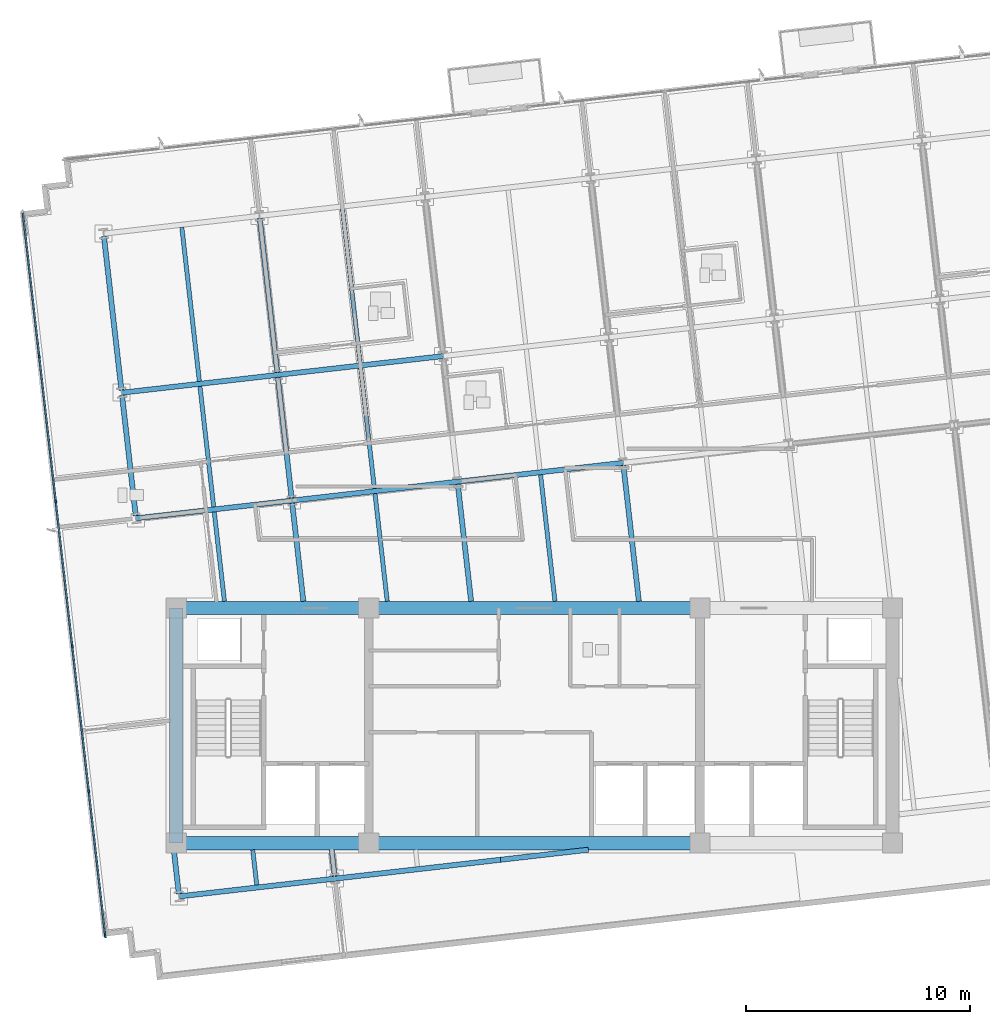
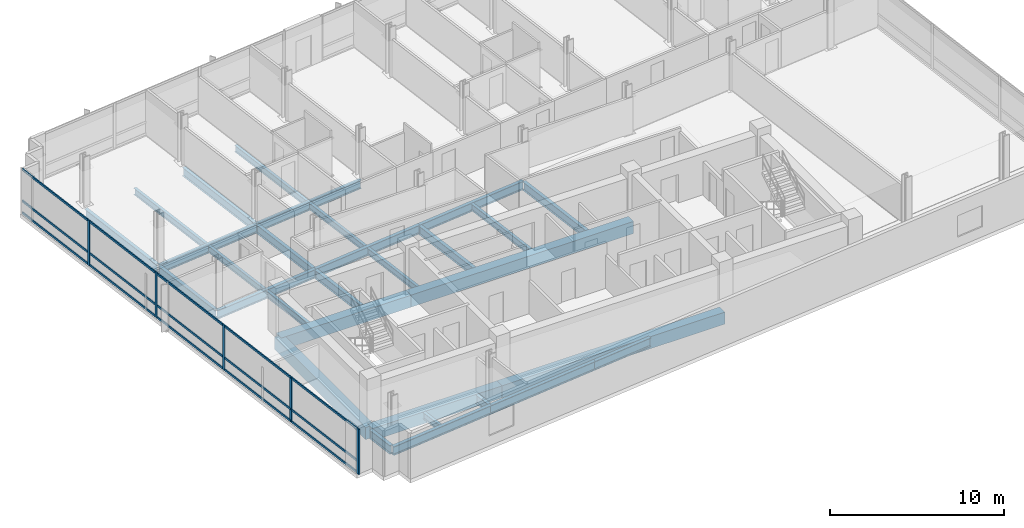
# One storey, part 2 of 16: 30 beams, 20 members, 1 element without a shape of its own.
"""IFC4 building model written with IfcOpenShell, lengths in metres."""

from ifc_helpers import new_model, si_unit, direction, frame, origin, origin_2d, place, context, subcontext, project, spatial, rectangle, i_section, extrude, material, material_profile, profile_set, type_object, element, aggregate, save


model = new_model("IFC4")

# Units and contexts
model_context = context("Model", 3, precision=1e-05, world=origin(), true_north=direction((0.0, 1.0)))
body_context = subcontext(model_context, "Body", "Model", "MODEL_VIEW")
ifc_project = project(units=[si_unit("LENGTHUNIT", "METRE"), si_unit("AREAUNIT", "SQUARE_METRE"), si_unit("VOLUMEUNIT", "CUBIC_METRE"), si_unit("PLANEANGLEUNIT", "RADIAN"), si_unit("MASSUNIT", "GRAM", prefix="KILO")], contexts=[model_context])

# Site, building, storey
site_placement = place(None, origin())
site = spatial("IfcSite", under=ifc_project, at=site_placement, CompositionType="ELEMENT")
building_placement = place(site_placement, origin())
building = spatial("IfcBuilding", under=site, at=building_placement, Name="Solmavex Isthmus Hotel", CompositionType="ELEMENT")
storey_placement = place(building_placement, frame((0.0, 0.0, 208.949951171875)))
storey = spatial("IfcBuildingStorey", under=building, at=storey_placement, Name="L56", CompositionType="ELEMENT", Elevation=208.949951171875)

# Beams
ifc_material_1 = material(Name="Steel ASTM A992 Grade 50", Category="steel")
ifc_material_profile_1 = material_profile(ifc_material_1, i_section(OverallWidth=0.1904296875, OverallDepth=0.456787109375, WebThickness=0.009033203125, FlangeThickness=0.014404296875, FilletRadius=0.0126953125, at=origin_2d()), Name="W18X50")
ifc_profile_set_1 = profile_set([ifc_material_profile_1], Name="Steel ASTM A992 Grade 50")
beam_type_1 = type_object("IfcBeamType", Name="BM-BJ-W18X50", PredefinedType="JOIST", material=ifc_profile_set_1)
beam_1_placement = place(storey_placement, frame((-12.404052734375, -14.872314453125, -0.48828125), z_axis=(-0.113242002738, 0.993567435465, 0.0), x_axis=(-0.993567435465, -0.113242002738, 0.0)))
element("IfcBeam", 1, at=beam_1_placement, inside=storey, type_object=beam_type_1, Name="Secondary Floor Joist L56-J01", PredefinedType="JOIST", context=body_context, shape_type="SweptSolid", body=[
    extrude(i_section(OverallWidth=0.1904296875, OverallDepth=0.456787109375, WebThickness=0.009033203125, FlangeThickness=0.014404296875, FilletRadius=0.0126953125, at=origin_2d()), origin(), (0.0, 0.0, 1.0), 1.58251953125),
])
beam_2_placement = place(storey_placement, frame((-13.847900390625, -2.199951171875, -0.48828125), z_axis=(-0.113179724577, 0.993574531651, 0.0), x_axis=(-0.993574531651, -0.113179724577, 0.0)))
element("IfcBeam", 2, at=beam_2_placement, inside=storey, type_object=beam_type_1, Name="Secondary Floor Joist L56-J02", PredefinedType="JOIST", context=body_context, shape_type="SweptSolid", body=[
    extrude(i_section(OverallWidth=0.1904296875, OverallDepth=0.456787109375, WebThickness=0.009033203125, FlangeThickness=0.014404296875, FilletRadius=0.0126953125, at=origin_2d()), origin(), (0.0, 0.0, 1.0), 4.0166015625),
])
beam_3_placement = place(storey_placement, frame((-14.328369140625, 2.01708984375, -0.48828125), z_axis=(-0.113189626161, 0.993573403695, 0.0), x_axis=(-0.993573403695, -0.113189626161, 0.0)))
element("IfcBeam", 3, at=beam_3_placement, inside=storey, type_object=beam_type_1, Name="Secondary Floor Joist L56-J03", PredefinedType="JOIST", context=body_context, shape_type="SweptSolid", body=[
    extrude(i_section(OverallWidth=0.1904296875, OverallDepth=0.456787109375, WebThickness=0.009033203125, FlangeThickness=0.014404296875, FilletRadius=0.0126953125, at=origin_2d()), origin(), (0.0, 0.0, 1.0), 5.42041015625),
])
beam_4_placement = place(storey_placement, frame((-14.9677734375, 7.62890625, -0.48828125), z_axis=(-0.113202453846, 0.993571942258, 0.0), x_axis=(-0.993571942258, -0.113202453846, 0.0)))
element("IfcBeam", 4, at=beam_4_placement, inside=storey, type_object=beam_type_1, Name="Secondary Floor Joist L56-J04", PredefinedType="JOIST", context=body_context, shape_type="SweptSolid", body=[
    extrude(i_section(OverallWidth=0.1904296875, OverallDepth=0.456787109375, WebThickness=0.009033203125, FlangeThickness=0.014404296875, FilletRadius=0.0126953125, at=origin_2d()), origin(), (0.0, 0.0, 1.0), 6.9228515625),
])
beam_5_placement = place(storey_placement, frame((-6.57421875, -2.199951171875, -0.48828125), z_axis=(-0.113193768539, 0.993572931779, 0.0), x_axis=(-0.993572931779, -0.113193768539, 0.0)))
element("IfcBeam", 5, at=beam_5_placement, inside=storey, type_object=beam_type_1, Name="Secondary Floor Joist L56-J06", PredefinedType="JOIST", context=body_context, shape_type="SweptSolid", body=[
    extrude(i_section(OverallWidth=0.1904296875, OverallDepth=0.456787109375, WebThickness=0.009033203125, FlangeThickness=0.014404296875, FilletRadius=0.0126953125, at=origin_2d()), origin(), (0.0, 0.0, 1.0), 4.83984375),
])
beam_6_placement = place(storey_placement, frame((-7.14794921875, 2.835205078125, -0.48828125), z_axis=(-0.113189626161, 0.993573403695, 0.0), x_axis=(-0.993573403695, -0.113189626161, 0.0)))
element("IfcBeam", 6, at=beam_6_placement, inside=storey, type_object=beam_type_1, Name="Secondary Floor Joist L56-J07", PredefinedType="JOIST", context=body_context, shape_type="SweptSolid", body=[
    extrude(i_section(OverallWidth=0.1904296875, OverallDepth=0.456787109375, WebThickness=0.009033203125, FlangeThickness=0.014404296875, FilletRadius=0.0126953125, at=origin_2d()), origin(), (0.0, 0.0, 1.0), 5.42041015625),
])
beam_7_placement = place(storey_placement, frame((-7.787109375, 8.447021484375, -0.48828125), z_axis=(-0.113202453846, 0.993571942258, 0.0), x_axis=(-0.993571942258, -0.113202453846, 0.0)))
element("IfcBeam", 7, at=beam_7_placement, inside=storey, type_object=beam_type_1, Name="Secondary Floor Joist L56-J08", PredefinedType="JOIST", context=body_context, shape_type="SweptSolid", body=[
    extrude(i_section(OverallWidth=0.1904296875, OverallDepth=0.456787109375, WebThickness=0.009033203125, FlangeThickness=0.014404296875, FilletRadius=0.0126953125, at=origin_2d()), origin(), (0.0, 0.0, 1.0), 6.9228515625),
])
beam_8_placement = place(storey_placement, frame((0.920166015625, -2.199951171875, -0.48828125), z_axis=(-0.113219765873, 0.993569969663, 0.0), x_axis=(-0.993569969663, -0.113219765873, 0.0)))
element("IfcBeam", 8, at=beam_8_placement, inside=storey, type_object=beam_type_1, Name="Secondary Floor Joist L56-J09", PredefinedType="JOIST", context=body_context, shape_type="SweptSolid", body=[
    extrude(i_section(OverallWidth=0.1904296875, OverallDepth=0.456787109375, WebThickness=0.009033203125, FlangeThickness=0.014404296875, FilletRadius=0.0126953125, at=origin_2d()), origin(), (0.0, 0.0, 1.0), 5.6884765625),
])
ifc_material_profile_2 = material_profile(ifc_material_1, i_section(OverallWidth=0.227783203125, OverallDepth=0.602783203125, WebThickness=0.010498046875, FlangeThickness=0.014892578125, FilletRadius=0.01513671875, at=origin_2d()), Name="W24X68")
ifc_profile_set_2 = profile_set([ifc_material_profile_2], Name="Steel ASTM A992 Grade 50")
beam_type_2 = type_object("IfcBeamType", Name="BM-BM-W24X68", PredefinedType="BEAM", material=ifc_profile_set_2)
beam_9_placement = place(storey_placement, frame((-17.796875, 1.50732421875, -0.561279296875), z_axis=(0.993569675103, 0.113222350774, 0.0), x_axis=(-0.113222350774, 0.993569675103, 0.0)))
element("IfcBeam", 9, at=beam_9_placement, inside=storey, type_object=beam_type_2, Name="Floor Girder L56-UG06", PredefinedType="BEAM", context=body_context, shape_type="SweptSolid", body=[
    extrude(i_section(OverallWidth=0.227783203125, OverallDepth=0.602783203125, WebThickness=0.010498046875, FlangeThickness=0.014892578125, FilletRadius=0.01513671875, at=origin_2d()), origin(), (0.0, 0.0, 1.0), 7.008056640625),
])
beam_10_placement = place(storey_placement, frame((-10.833984375, 2.30078125, -0.561279296875), z_axis=(0.993574034044, 0.113184092846, 0.0), x_axis=(-0.113184092846, 0.993574034044, 0.0)))
element("IfcBeam", 10, at=beam_10_placement, inside=storey, type_object=beam_type_2, Name="Floor Girder L56-UG07", PredefinedType="BEAM", context=body_context, shape_type="SweptSolid", body=[
    extrude(i_section(OverallWidth=0.227783203125, OverallDepth=0.602783203125, WebThickness=0.010498046875, FlangeThickness=0.014892578125, FilletRadius=0.01513671875, at=origin_2d()), origin(), (0.0, 0.0, 1.0), 7.446044921875),
])
beam_11_placement = place(storey_placement, frame((-3.435791015625, 3.1435546875, -0.561279296875), z_axis=(0.993569926006, 0.113220148984, 0.0), x_axis=(-0.113220148984, 0.993569926006, 0.0)))
element("IfcBeam", 11, at=beam_11_placement, inside=storey, type_object=beam_type_2, Name="Floor Girder L56-UG08", PredefinedType="BEAM", context=body_context, shape_type="SweptSolid", body=[
    extrude(i_section(OverallWidth=0.227783203125, OverallDepth=0.602783203125, WebThickness=0.010498046875, FlangeThickness=0.014892578125, FilletRadius=0.01513671875, at=origin_2d()), origin(), (0.0, 0.0, 1.0), 7.44580078125),
])
beam_12_placement = place(storey_placement, frame((-18.436279296875, 7.119140625, -0.561279296875), z_axis=(0.99357359356, 0.113187959519, 0.0), x_axis=(-0.113187959519, 0.99357359356, 0.0)))
element("IfcBeam", 12, at=beam_12_placement, inside=storey, type_object=beam_type_2, Name="Floor Girder L56-UG12", PredefinedType="BEAM", context=body_context, shape_type="SweptSolid", body=[
    extrude(i_section(OverallWidth=0.227783203125, OverallDepth=0.602783203125, WebThickness=0.010498046875, FlangeThickness=0.014892578125, FilletRadius=0.01513671875, at=origin_2d()), origin(), (0.0, 0.0, 1.0), 7.0078125),
])
beam_13_placement = place(storey_placement, frame((-11.473388671875, 7.912353515625, -0.561279296875), z_axis=(0.9935703463, 0.113216460607, 0.0), x_axis=(-0.113216460607, 0.9935703463, 0.0)))
element("IfcBeam", 13, at=beam_13_placement, inside=storey, type_object=beam_type_2, Name="Floor Girder L56-UG13", PredefinedType="BEAM", context=body_context, shape_type="SweptSolid", body=[
    extrude(i_section(OverallWidth=0.227783203125, OverallDepth=0.602783203125, WebThickness=0.010498046875, FlangeThickness=0.014892578125, FilletRadius=0.01513671875, at=origin_2d()), origin(), (0.0, 0.0, 1.0), 7.446044921875),
])
beam_14_placement = place(storey_placement, frame((-8.922607421875, -14.4755859375, -0.561279296875), z_axis=(-0.113284703976, 0.993562567655, 0.0), x_axis=(-0.993562567655, -0.113284703976, 0.0)))
element("IfcBeam", 14, at=beam_14_placement, inside=storey, type_object=beam_type_2, Name="Floor Beam L56-VG27", PredefinedType="BEAM", context=body_context, shape_type="SweptSolid", body=[
    extrude(i_section(OverallWidth=0.227783203125, OverallDepth=0.602783203125, WebThickness=0.010498046875, FlangeThickness=0.014892578125, FilletRadius=0.01513671875, at=origin_2d()), origin(), (0.0, 0.0, 1.0), 1.18310546875),
])
beam_15_placement = place(storey_placement, frame((-10.3212890625, -2.199951171875, -0.561279296875), z_axis=(-0.113173914695, 0.993575193447, 0.0), x_axis=(-0.993575193447, -0.113173914695, 0.0)))
element("IfcBeam", 15, at=beam_15_placement, inside=storey, type_object=beam_type_2, Name="Floor Beam L56-VG28", PredefinedType="BEAM", context=body_context, shape_type="SweptSolid", body=[
    extrude(i_section(OverallWidth=0.227783203125, OverallDepth=0.602783203125, WebThickness=0.010498046875, FlangeThickness=0.014892578125, FilletRadius=0.01513671875, at=origin_2d()), origin(), (0.0, 0.0, 1.0), 4.415771484375),
])
beam_16_placement = place(storey_placement, frame((-10.846923828125, 2.413818359375, -0.561279296875), z_axis=(-0.113189626161, 0.993573403695, 0.0), x_axis=(-0.993573403695, -0.113189626161, 0.0)))
element("IfcBeam", 16, at=beam_16_placement, inside=storey, type_object=beam_type_2, Name="Floor Beam L56-VG29", PredefinedType="BEAM", context=body_context, shape_type="SweptSolid", body=[
    extrude(i_section(OverallWidth=0.227783203125, OverallDepth=0.602783203125, WebThickness=0.010498046875, FlangeThickness=0.014892578125, FilletRadius=0.01513671875, at=origin_2d()), origin(), (0.0, 0.0, 1.0), 5.42041015625),
])
beam_17_placement = place(storey_placement, frame((-11.486328125, 8.025634765625, -0.561279296875), z_axis=(-0.113202453846, 0.993571942258, 0.0), x_axis=(-0.993571942258, -0.113202453846, 0.0)))
element("IfcBeam", 17, at=beam_17_placement, inside=storey, type_object=beam_type_2, Name="Floor Beam L56-VG30", PredefinedType="BEAM", context=body_context, shape_type="SweptSolid", body=[
    extrude(i_section(OverallWidth=0.227783203125, OverallDepth=0.602783203125, WebThickness=0.010498046875, FlangeThickness=0.014892578125, FilletRadius=0.01513671875, at=origin_2d()), origin(), (0.0, 0.0, 1.0), 6.9228515625),
])
beam_18_placement = place(storey_placement, frame((-2.8271484375, -2.199951171875, -0.561279296875), z_axis=(-0.113159423971, 0.993576843916, 0.0), x_axis=(-0.993576843916, -0.113159423971, 0.0)))
element("IfcBeam", 18, at=beam_18_placement, inside=storey, type_object=beam_type_2, Name="Floor Beam L56-VG31", PredefinedType="BEAM", context=body_context, shape_type="SweptSolid", body=[
    extrude(i_section(OverallWidth=0.227783203125, OverallDepth=0.602783203125, WebThickness=0.010498046875, FlangeThickness=0.014892578125, FilletRadius=0.01513671875, at=origin_2d()), origin(), (0.0, 0.0, 1.0), 5.26416015625),
])
beam_19_placement = place(storey_placement, frame((4.667236328125, -2.199951171875, -0.561279296875), z_axis=(-0.113232304752, 0.993568540746, 0.0), x_axis=(-0.993568540746, -0.113232304752, 0.0)))
element("IfcBeam", 19, at=beam_19_placement, inside=storey, type_object=beam_type_2, Name="Floor Beam L56-VG34", PredefinedType="BEAM", context=body_context, shape_type="SweptSolid", body=[
    extrude(i_section(OverallWidth=0.227783203125, OverallDepth=0.602783203125, WebThickness=0.010498046875, FlangeThickness=0.014892578125, FilletRadius=0.01513671875, at=origin_2d()), origin(), (0.0, 0.0, 1.0), 6.112548828125),
])
ifc_material_2 = material(Name="Concrete C50/60", Category="concrete")
ifc_material_profile_3 = material_profile(ifc_material_2, rectangle(XDim=0.60009765625, YDim=0.85009765625, at=origin_2d()), Name="RC600X850")
ifc_profile_set_3 = profile_set([ifc_material_profile_3], Name="Concrete C50/60")
beam_type_3 = type_object("IfcBeamType", Name="BM-CB-600X850", PredefinedType="BEAM", material=ifc_profile_set_3)
beam_20_placement = place(storey_placement, frame((-16.0, -13.0, -0.68505859375), z_axis=(1.0, 0.0, 0.0), x_axis=(0.0, 1.0, 0.0)))
element("IfcBeam", 20, at=beam_20_placement, inside=storey, type_object=beam_type_3, Name="Core Coupling Beam L56-CB1", PredefinedType="BEAM", context=body_context, shape_type="SweptSolid", body=[
    extrude(rectangle(XDim=0.60009765625, YDim=0.85009765625, at=origin_2d()), origin(), (0.0, 0.0, 1.0), 8.60009765625),
])
beam_21_placement = place(storey_placement, frame((-7.39990234375, -13.0, -0.68505859375), z_axis=(1.0, 0.0, 0.0), x_axis=(0.0, 1.0, 0.0)))
element("IfcBeam", 21, at=beam_21_placement, inside=storey, type_object=beam_type_3, Name="Core Coupling Beam L56-CB2", PredefinedType="BEAM", context=body_context, shape_type="SweptSolid", body=[
    extrude(rectangle(XDim=0.60009765625, YDim=0.85009765625, at=origin_2d()), origin(), (0.0, 0.0, 1.0), 14.7998046875),
])
beam_22_placement = place(storey_placement, frame((-16.0, -2.5, -0.68505859375), z_axis=(1.0, 0.0, 0.0), x_axis=(0.0, 1.0, 0.0)))
element("IfcBeam", 22, at=beam_22_placement, inside=storey, type_object=beam_type_3, Name="Core Coupling Beam L56-CB4", PredefinedType="BEAM", context=body_context, shape_type="SweptSolid", body=[
    extrude(rectangle(XDim=0.60009765625, YDim=0.85009765625, at=origin_2d()), origin(), (0.0, 0.0, 1.0), 8.60009765625),
])
beam_23_placement = place(storey_placement, frame((-7.39990234375, -2.5, -0.68505859375), z_axis=(1.0, 0.0, 0.0), x_axis=(0.0, 1.0, 0.0)))
element("IfcBeam", 23, at=beam_23_placement, inside=storey, type_object=beam_type_3, Name="Core Coupling Beam L56-CB5", PredefinedType="BEAM", context=body_context, shape_type="SweptSolid", body=[
    extrude(rectangle(XDim=0.60009765625, YDim=0.85009765625, at=origin_2d()), origin(), (0.0, 0.0, 1.0), 14.7998046875),
])
beam_24_placement = place(storey_placement, frame((-16.0, -13.0, -0.68505859375), z_axis=(0.0, 1.0, 0.0), x_axis=(-1.0, 0.0, 0.0)))
element("IfcBeam", 24, at=beam_24_placement, inside=storey, type_object=beam_type_3, Name="Core Coupling Beam L56-CB7", PredefinedType="BEAM", context=body_context, shape_type="SweptSolid", body=[
    extrude(rectangle(XDim=0.60009765625, YDim=0.85009765625, at=origin_2d()), origin(), (0.0, 0.0, 1.0), 10.5),
])
ifc_material_profile_4 = material_profile(ifc_material_1, i_section(OverallWidth=0.230224609375, OverallDepth=0.617431640625, WebThickness=0.01318359375, FlangeThickness=0.022216796875, FilletRadius=0.01513671875, at=origin_2d()), Name="W24X94")
ifc_profile_set_4 = profile_set([ifc_material_profile_4], Name="Steel ASTM A992 Grade 50")
beam_type_4 = type_object("IfcBeamType", Name="BM-SP-W24X94", PredefinedType="SPANDREL", material=ifc_profile_set_4)
beam_25_placement = place(storey_placement, frame((-15.87255859375, -15.38330078125, -0.568603515625), z_axis=(0.993574039862, 0.113184041777, 0.0), x_axis=(-0.113184041777, 0.993574039862, 0.0)))
element("IfcBeam", 25, at=beam_25_placement, inside=storey, type_object=beam_type_4, Name="Floor Girder L56-UG01", PredefinedType="SPANDREL", context=body_context, shape_type="SweptSolid", body=[
    extrude(i_section(OverallWidth=0.230224609375, OverallDepth=0.617431640625, WebThickness=0.01318359375, FlangeThickness=0.022216796875, FilletRadius=0.01513671875, at=origin_2d()), origin(), (0.0, 0.0, 1.0), 7.008056640625),
])
beam_26_placement = place(storey_placement, frame((-8.909423828125, -14.590087890625, -0.568603515625), z_axis=(0.993569926006, 0.113220148984, 0.0), x_axis=(-0.113220148984, 0.993569926006, 0.0)))
element("IfcBeam", 26, at=beam_26_placement, inside=storey, type_object=beam_type_4, Name="Floor Girder L56-UG02", PredefinedType="SPANDREL", context=body_context, shape_type="SweptSolid", body=[
    extrude(i_section(OverallWidth=0.230224609375, OverallDepth=0.617431640625, WebThickness=0.01318359375, FlangeThickness=0.022216796875, FilletRadius=0.01513671875, at=origin_2d()), origin(), (0.0, 0.0, 1.0), 7.44580078125),
])
beam_27_placement = place(storey_placement, frame((-1.511474609375, -13.7470703125, -0.568603515625), z_axis=(0.993575434773, 0.113171796023, 0.0), x_axis=(-0.113171796023, 0.993575434773, 0.0)))
element("IfcBeam", 27, at=beam_27_placement, inside=storey, type_object=beam_type_4, Name="Floor Girder L56-UG03", PredefinedType="SPANDREL", context=body_context, shape_type="SweptSolid", body=[
    extrude(i_section(OverallWidth=0.230224609375, OverallDepth=0.617431640625, WebThickness=0.01318359375, FlangeThickness=0.022216796875, FilletRadius=0.01513671875, at=origin_2d()), origin(), (0.0, 0.0, 1.0), 3.949951171875),
])
beam_28_placement = place(storey_placement, frame((-15.885498046875, -15.268798828125, -0.568603515625), z_axis=(-0.113230368519, 0.993568761408, 0.0), x_axis=(-0.993568761408, -0.113230368519, 0.0)))
element("IfcBeam", 28, at=beam_28_placement, inside=storey, type_object=beam_type_4, Name="Floor Beam L56-VG24", PredefinedType="SPANDREL", context=body_context, shape_type="SweptSolid", body=[
    extrude(i_section(OverallWidth=0.230224609375, OverallDepth=0.617431640625, WebThickness=0.01318359375, FlangeThickness=0.022216796875, FilletRadius=0.01513671875, at=origin_2d()), origin(), (0.0, 0.0, 1.0), 1.9814453125),
])
beam_29_placement = place(storey_placement, frame((-17.809814453125, 1.62060546875, -0.568603515625), z_axis=(-0.113194691868, 0.993572826587, 0.0), x_axis=(-0.993572826587, -0.113194691868, 0.0)))
element("IfcBeam", 29, at=beam_29_placement, inside=storey, type_object=beam_type_4, Name="Floor Beam L56-VG25", PredefinedType="SPANDREL", context=body_context, shape_type="SweptSolid", body=[
    extrude(i_section(OverallWidth=0.230224609375, OverallDepth=0.617431640625, WebThickness=0.01318359375, FlangeThickness=0.022216796875, FilletRadius=0.01513671875, at=origin_2d()), origin(), (0.0, 0.0, 1.0), 5.420166015625),
])
beam_30_placement = place(storey_placement, frame((-18.44921875, 7.232177734375, -0.568603515625), z_axis=(-0.113202453846, 0.993571942258, 0.0), x_axis=(-0.993571942258, -0.113202453846, 0.0)))
element("IfcBeam", 30, at=beam_30_placement, inside=storey, type_object=beam_type_4, Name="Floor Beam L56-VG26", PredefinedType="SPANDREL", context=body_context, shape_type="SweptSolid", body=[
    extrude(i_section(OverallWidth=0.230224609375, OverallDepth=0.617431640625, WebThickness=0.01318359375, FlangeThickness=0.022216796875, FilletRadius=0.01513671875, at=origin_2d()), origin(), (0.0, 0.0, 1.0), 6.9228515625),
])

# Curtain wall, members
ifc_material_3 = material(Name="Aluminium alloy 6063-T6", Category="aluminium")
curtain_wall_type = type_object("IfcCurtainWallType", Name="CW-SYS-04", PredefinedType="NOTDEFINED", material=ifc_material_3)
curtain_wall_placement = place(storey_placement, origin())
curtain_wall = element("IfcCurtainWall", 31, at=curtain_wall_placement, inside=storey, type_object=curtain_wall_type, Name="Stick Curtain Wall CWL-L56-W1", PredefinedType="NOTDEFINED")
ifc_material_profile_5 = material_profile(ifc_material_3, rectangle(XDim=0.074951171875, YDim=0.199951171875, at=origin_2d()), Name="CWM-75X200")
ifc_profile_set_5 = profile_set([ifc_material_profile_5], Name="Aluminium alloy 6063-T6")
member_type_1 = type_object("IfcMemberType", Name="CW-SYS-04-MUL", PredefinedType="MULLION", material=ifc_profile_set_5)
member_1_placement = place(storey_placement, frame((-19.17578125, -17.131103515625, 0.0), z_axis=(0.0, 0.0, 1.0), x_axis=(-0.993571836648, -0.11320338078, 0.0)))
member_1 = element("IfcMember", 32, at=member_1_placement, type_object=member_type_1, Name="CW-04 mullion 1", PredefinedType="MULLION", context=body_context, shape_type="SweptSolid", body=[
    extrude(rectangle(XDim=0.074951171875, YDim=0.199951171875, at=origin_2d()), origin(), (0.0, 0.0, 1.0), 3.18994140625),
])
member_2_placement = place(storey_placement, frame((-19.90966796875, -10.690185546875, 0.0), z_axis=(0.0, 0.0, 1.0), x_axis=(-0.993571836648, -0.11320338078, 0.0)))
member_2 = element("IfcMember", 33, at=member_2_placement, type_object=member_type_1, Name="CW-04 mullion 2", PredefinedType="MULLION", context=body_context, shape_type="SweptSolid", body=[
    extrude(rectangle(XDim=0.074951171875, YDim=0.199951171875, at=origin_2d()), origin(), (0.0, 0.0, 1.0), 3.18994140625),
])
member_3_placement = place(storey_placement, frame((-20.647705078125, -4.212158203125, 0.0), z_axis=(0.0, 0.0, 1.0), x_axis=(-0.993571836648, -0.11320338078, 0.0)))
member_3 = element("IfcMember", 34, at=member_3_placement, type_object=member_type_1, Name="CW-04 mullion 3", PredefinedType="MULLION", context=body_context, shape_type="SweptSolid", body=[
    extrude(rectangle(XDim=0.074951171875, YDim=0.199951171875, at=origin_2d()), origin(), (0.0, 0.0, 1.0), 3.18994140625),
])
member_4_placement = place(storey_placement, frame((-21.385986328125, 2.265869140625, 0.0), z_axis=(0.0, 0.0, 1.0), x_axis=(-0.993571836648, -0.11320338078, 0.0)))
member_4 = element("IfcMember", 35, at=member_4_placement, type_object=member_type_1, Name="CW-04 mullion 4", PredefinedType="MULLION", context=body_context, shape_type="SweptSolid", body=[
    extrude(rectangle(XDim=0.074951171875, YDim=0.199951171875, at=origin_2d()), origin(), (0.0, 0.0, 1.0), 3.18994140625),
])
member_5_placement = place(storey_placement, frame((-22.1240234375, 8.744140625, 0.0), z_axis=(0.0, 0.0, 1.0), x_axis=(-0.993571836648, -0.11320338078, 0.0)))
member_5 = element("IfcMember", 36, at=member_5_placement, type_object=member_type_1, Name="CW-04 mullion 5", PredefinedType="MULLION", context=body_context, shape_type="SweptSolid", body=[
    extrude(rectangle(XDim=0.074951171875, YDim=0.199951171875, at=origin_2d()), origin(), (0.0, 0.0, 1.0), 3.18994140625),
])
ifc_material_profile_6 = material_profile(ifc_material_3, rectangle(XDim=0.074951171875, YDim=0.14990234375, at=origin_2d()), Name="CWT-75X150")
ifc_profile_set_6 = profile_set([ifc_material_profile_6], Name="Aluminium alloy 6063-T6")
member_type_2 = type_object("IfcMemberType", Name="CW-SYS-04-TRN", PredefinedType="USERDEFINED", material=ifc_profile_set_6)
member_6_placement = place(storey_placement, frame((-19.18017578125, -17.09375, 0.074951171875), z_axis=(-0.113203780919, 0.993571791058, 0.0), x_axis=(-0.993571791058, -0.113203780919, 0.0)))
member_6 = element("IfcMember", 37, at=member_6_placement, type_object=member_type_2, Name="CW-04 transom 1.1", ObjectType="TRANSOM", PredefinedType="USERDEFINED", context=body_context, shape_type="SweptSolid", body=[
    extrude(rectangle(XDim=0.074951171875, YDim=0.14990234375, at=origin_2d()), origin(), (0.0, 0.0, 1.0), 6.407470703125),
])
member_7_placement = place(storey_placement, frame((-19.18017578125, -17.09375, 0.900146484375), z_axis=(-0.113203780919, 0.993571791058, 0.0), x_axis=(-0.993571791058, -0.113203780919, 0.0)))
member_7 = element("IfcMember", 38, at=member_7_placement, type_object=member_type_2, Name="CW-04 transom 1.2", ObjectType="TRANSOM", PredefinedType="USERDEFINED", context=body_context, shape_type="SweptSolid", body=[
    extrude(rectangle(XDim=0.074951171875, YDim=0.14990234375, at=origin_2d()), origin(), (0.0, 0.0, 1.0), 6.407470703125),
])
member_8_placement = place(storey_placement, frame((-19.18017578125, -17.09375, 3.114990234375), z_axis=(-0.113203780919, 0.993571791058, 0.0), x_axis=(-0.993571791058, -0.113203780919, 0.0)))
member_8 = element("IfcMember", 39, at=member_8_placement, type_object=member_type_2, Name="CW-04 transom 1.3", ObjectType="TRANSOM", PredefinedType="USERDEFINED", context=body_context, shape_type="SweptSolid", body=[
    extrude(rectangle(XDim=0.074951171875, YDim=0.14990234375, at=origin_2d()), origin(), (0.0, 0.0, 1.0), 6.407470703125),
])
member_9_placement = place(storey_placement, frame((-19.9140625, -10.653076171875, 0.074951171875), z_axis=(-0.113187617296, 0.993573632546, 0.0), x_axis=(-0.993573632546, -0.113187617296, 0.0)))
member_9 = element("IfcMember", 40, at=member_9_placement, type_object=member_type_2, Name="CW-04 transom 2.1", ObjectType="TRANSOM", PredefinedType="USERDEFINED", context=body_context, shape_type="SweptSolid", body=[
    extrude(rectangle(XDim=0.074951171875, YDim=0.14990234375, at=origin_2d()), origin(), (0.0, 0.0, 1.0), 6.445068359375),
])
member_10_placement = place(storey_placement, frame((-19.9140625, -10.653076171875, 0.900146484375), z_axis=(-0.113187617296, 0.993573632546, 0.0), x_axis=(-0.993573632546, -0.113187617296, 0.0)))
member_10 = element("IfcMember", 41, at=member_10_placement, type_object=member_type_2, Name="CW-04 transom 2.2", ObjectType="TRANSOM", PredefinedType="USERDEFINED", context=body_context, shape_type="SweptSolid", body=[
    extrude(rectangle(XDim=0.074951171875, YDim=0.14990234375, at=origin_2d()), origin(), (0.0, 0.0, 1.0), 6.445068359375),
])
member_11_placement = place(storey_placement, frame((-19.9140625, -10.653076171875, 3.114990234375), z_axis=(-0.113187617296, 0.993573632546, 0.0), x_axis=(-0.993573632546, -0.113187617296, 0.0)))
member_11 = element("IfcMember", 42, at=member_11_placement, type_object=member_type_2, Name="CW-04 transom 2.3", ObjectType="TRANSOM", PredefinedType="USERDEFINED", context=body_context, shape_type="SweptSolid", body=[
    extrude(rectangle(XDim=0.074951171875, YDim=0.14990234375, at=origin_2d()), origin(), (0.0, 0.0, 1.0), 6.445068359375),
])
member_12_placement = place(storey_placement, frame((-20.652099609375, -4.1748046875, 0.074951171875), z_axis=(-0.113187617296, 0.993573632546, 0.0), x_axis=(-0.993573632546, -0.113187617296, 0.0)))
member_12 = element("IfcMember", 43, at=member_12_placement, type_object=member_type_2, Name="CW-04 transom 3.1", ObjectType="TRANSOM", PredefinedType="USERDEFINED", context=body_context, shape_type="SweptSolid", body=[
    extrude(rectangle(XDim=0.074951171875, YDim=0.14990234375, at=origin_2d()), origin(), (0.0, 0.0, 1.0), 6.445068359375),
])
member_13_placement = place(storey_placement, frame((-20.652099609375, -4.1748046875, 0.900146484375), z_axis=(-0.113187617296, 0.993573632546, 0.0), x_axis=(-0.993573632546, -0.113187617296, 0.0)))
member_13 = element("IfcMember", 44, at=member_13_placement, type_object=member_type_2, Name="CW-04 transom 3.2", ObjectType="TRANSOM", PredefinedType="USERDEFINED", context=body_context, shape_type="SweptSolid", body=[
    extrude(rectangle(XDim=0.074951171875, YDim=0.14990234375, at=origin_2d()), origin(), (0.0, 0.0, 1.0), 6.445068359375),
])
member_14_placement = place(storey_placement, frame((-20.652099609375, -4.1748046875, 3.114990234375), z_axis=(-0.113187617296, 0.993573632546, 0.0), x_axis=(-0.993573632546, -0.113187617296, 0.0)))
member_14 = element("IfcMember", 45, at=member_14_placement, type_object=member_type_2, Name="CW-04 transom 3.3", ObjectType="TRANSOM", PredefinedType="USERDEFINED", context=body_context, shape_type="SweptSolid", body=[
    extrude(rectangle(XDim=0.074951171875, YDim=0.14990234375, at=origin_2d()), origin(), (0.0, 0.0, 1.0), 6.445068359375),
])
member_15_placement = place(storey_placement, frame((-21.39013671875, 2.30322265625, 0.074951171875), z_axis=(-0.113187617296, 0.993573632546, 0.0), x_axis=(-0.993573632546, -0.113187617296, 0.0)))
member_15 = element("IfcMember", 46, at=member_15_placement, type_object=member_type_2, Name="CW-04 transom 4.1", ObjectType="TRANSOM", PredefinedType="USERDEFINED", context=body_context, shape_type="SweptSolid", body=[
    extrude(rectangle(XDim=0.074951171875, YDim=0.14990234375, at=origin_2d()), origin(), (0.0, 0.0, 1.0), 6.445068359375),
])
member_16_placement = place(storey_placement, frame((-21.39013671875, 2.30322265625, 0.900146484375), z_axis=(-0.113187617296, 0.993573632546, 0.0), x_axis=(-0.993573632546, -0.113187617296, 0.0)))
member_16 = element("IfcMember", 47, at=member_16_placement, type_object=member_type_2, Name="CW-04 transom 4.2", ObjectType="TRANSOM", PredefinedType="USERDEFINED", context=body_context, shape_type="SweptSolid", body=[
    extrude(rectangle(XDim=0.074951171875, YDim=0.14990234375, at=origin_2d()), origin(), (0.0, 0.0, 1.0), 6.445068359375),
])
member_17_placement = place(storey_placement, frame((-21.39013671875, 2.30322265625, 3.114990234375), z_axis=(-0.113187617296, 0.993573632546, 0.0), x_axis=(-0.993573632546, -0.113187617296, 0.0)))
member_17 = element("IfcMember", 48, at=member_17_placement, type_object=member_type_2, Name="CW-04 transom 4.3", ObjectType="TRANSOM", PredefinedType="USERDEFINED", context=body_context, shape_type="SweptSolid", body=[
    extrude(rectangle(XDim=0.074951171875, YDim=0.14990234375, at=origin_2d()), origin(), (0.0, 0.0, 1.0), 6.445068359375),
])
member_18_placement = place(storey_placement, frame((-22.128173828125, 8.78125, 0.074951171875), z_axis=(-0.113199495412, 0.993572279323, 0.0), x_axis=(-0.993572279323, -0.113199495412, 0.0)))
member_18 = element("IfcMember", 49, at=member_18_placement, type_object=member_type_2, Name="CW-04 transom 5.1", ObjectType="TRANSOM", PredefinedType="USERDEFINED", context=body_context, shape_type="SweptSolid", body=[
    extrude(rectangle(XDim=0.074951171875, YDim=0.14990234375, at=origin_2d()), origin(), (0.0, 0.0, 1.0), 6.40771484375),
])
member_19_placement = place(storey_placement, frame((-22.128173828125, 8.78125, 0.900146484375), z_axis=(-0.113199495412, 0.993572279323, 0.0), x_axis=(-0.993572279323, -0.113199495412, 0.0)))
member_19 = element("IfcMember", 50, at=member_19_placement, type_object=member_type_2, Name="CW-04 transom 5.2", ObjectType="TRANSOM", PredefinedType="USERDEFINED", context=body_context, shape_type="SweptSolid", body=[
    extrude(rectangle(XDim=0.074951171875, YDim=0.14990234375, at=origin_2d()), origin(), (0.0, 0.0, 1.0), 6.40771484375),
])
member_20_placement = place(storey_placement, frame((-22.128173828125, 8.78125, 3.114990234375), z_axis=(-0.113199495412, 0.993572279323, 0.0), x_axis=(-0.993572279323, -0.113199495412, 0.0)))
member_20 = element("IfcMember", 51, at=member_20_placement, type_object=member_type_2, Name="CW-04 transom 5.3", ObjectType="TRANSOM", PredefinedType="USERDEFINED", context=body_context, shape_type="SweptSolid", body=[
    extrude(rectangle(XDim=0.074951171875, YDim=0.14990234375, at=origin_2d()), origin(), (0.0, 0.0, 1.0), 6.40771484375),
])
aggregate(curtain_wall, [member_1, member_2, member_3, member_4, member_5, member_6, member_7, member_8, member_9, member_10, member_11, member_12, member_13, member_14, member_15, member_16, member_17, member_18, member_19, member_20])

save(model, "model.ifc")
